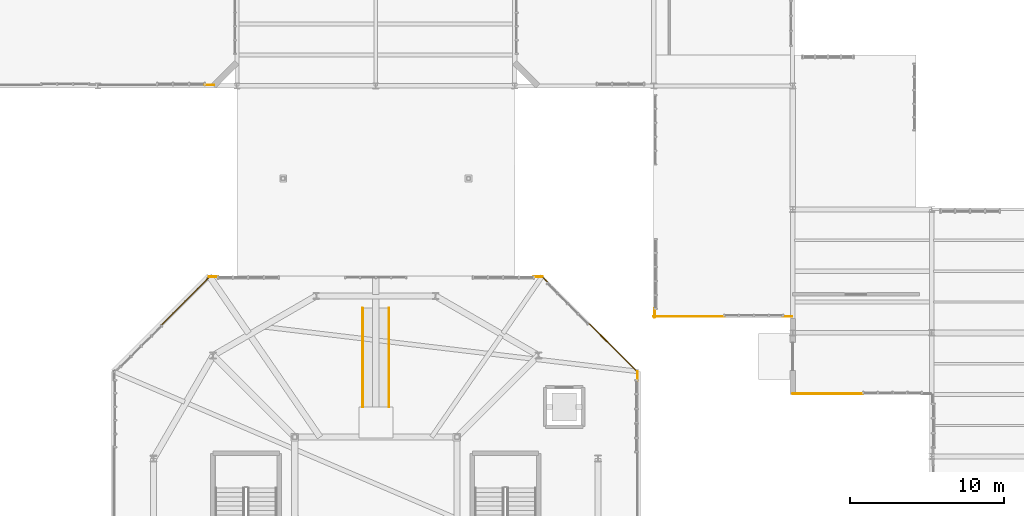
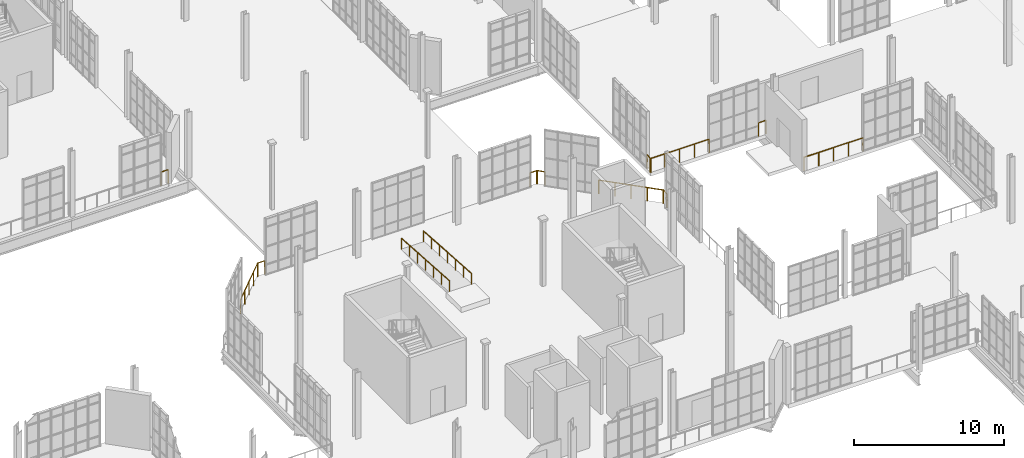
# One storey, part 185 of 189: 13 railings.
"""IFC4 building model written with IfcOpenShell, lengths in metres."""

from ifc_helpers import new_model, si_unit, direction, frame, origin, origin_2d, place, context, subcontext, project, spatial, circle, extrude, material, type_object, element, save


model = new_model("IFC4")

# Units and contexts
model_context = context("Model", 3, precision=1e-05, world=origin(), true_north=direction((0.0, 1.0)))
body_context = subcontext(model_context, "Body", "Model", "MODEL_VIEW")
ifc_project = project(units=[si_unit("LENGTHUNIT", "METRE"), si_unit("AREAUNIT", "SQUARE_METRE"), si_unit("VOLUMEUNIT", "CUBIC_METRE"), si_unit("PLANEANGLEUNIT", "RADIAN"), si_unit("MASSUNIT", "GRAM", prefix="KILO"), si_unit("THERMODYNAMICTEMPERATUREUNIT", "KELVIN"), si_unit("POWERUNIT", "WATT")], contexts=[model_context])

# Site, building, storey
site_placement = place(None, origin())
site = spatial("IfcSite", under=ifc_project, at=site_placement, CompositionType="ELEMENT")
building_placement = place(site_placement, origin())
building = spatial("IfcBuilding", under=site, at=building_placement, Name="Zelmaris Science Centre", CompositionType="ELEMENT")
storey_placement = place(building_placement, origin())
storey = spatial("IfcBuildingStorey", under=building, at=storey_placement, Name="L00", CompositionType="ELEMENT", Elevation=0.0)

# Railings
ifc_material = material(Name="Architectural bronze alloy C28000")
railing_type_1 = type_object("IfcRailingType", Name="Balustrade GD-01 H1120", PredefinedType="BALUSTRADE", material=ifc_material)
railing_1_placement = place(storey_placement, frame((70.5, 64.06005859375, 0.0)))
element("IfcRailing", 1, at=railing_1_placement, inside=storey, type_object=railing_type_1, Name="L00 Perimeter safety balustrade 1", PredefinedType="BALUSTRADE", context=body_context, shape_type="SweptSolid", body=[
    extrude(circle(Radius=0.02392578125, at=origin_2d()), frame((0.0, 0.0, 1.09619140625), z_axis=(-1.0, 0.0, 0.0), x_axis=(0.0, -1.0, 0.0)), (0.0, 0.0, 1.0), 0.570068359375),
    extrude(circle(Radius=0.02099609375, at=origin_2d()), origin(), (0.0, 0.0, 1.0), 1.072021484375),
    extrude(circle(Radius=0.02099609375, at=origin_2d()), frame((-0.570068359375, 0.0, 0.0)), (0.0, 0.0, 1.0), 1.072021484375),
])
railing_2_placement = place(storey_placement, frame((67.07958984375, 48.493896484375, 0.0)))
element("IfcRailing", 2, at=railing_2_placement, inside=storey, type_object=railing_type_1, Name="L00 Perimeter safety balustrade 14", PredefinedType="BALUSTRADE", context=body_context, shape_type="SweptSolid", body=[
    extrude(circle(Radius=0.02392578125, at=origin_2d()), frame((0.0, 0.0, 1.09619140625), z_axis=(0.70716133979, 0.707052218373, 0.0), x_axis=(-0.707052218373, 0.70716133979, 0.0)), (0.0, 0.0, 1.0), 4.474609375),
    extrude(circle(Radius=0.02099609375, at=origin_2d()), origin(), (0.0, 0.0, 1.0), 1.072021484375),
    extrude(circle(Radius=0.02099609375, at=origin_2d()), frame((0.791015625, 0.791015625, 0.0)), (0.0, 0.0, 1.0), 1.072021484375),
    extrude(circle(Radius=0.02099609375, at=origin_2d()), frame((1.58203125, 1.58203125, 0.0)), (0.0, 0.0, 1.0), 1.072021484375),
    extrude(circle(Radius=0.02099609375, at=origin_2d()), frame((2.373291015625, 2.372802734375, 0.0)), (0.0, 0.0, 1.0), 1.072021484375),
    extrude(circle(Radius=0.02099609375, at=origin_2d()), frame((3.164306640625, 3.163818359375, 0.0)), (0.0, 0.0, 1.0), 1.072021484375),
])
for number, where, name in (
    (3, (70.201416015625, 51.639892578125, 0.0), "L00 Perimeter safety balustrade 15"),
    (4, (91.22998046875, 51.639892578125, 0.0), "L00 Perimeter safety balustrade 16"),
):
    element("IfcRailing", number, at=place(storey_placement, frame(where)), inside=storey, type_object=railing_type_1, Name=name, PredefinedType="BALUSTRADE", context=body_context, shape_type="SweptSolid", body=[
        extrude(circle(Radius=0.02392578125, at=origin_2d()), frame((0.0, 0.0, 1.09619140625), z_axis=(1.0, 0.0, 0.0), x_axis=(0.0, 1.0, 0.0)), (0.0, 0.0, 1.0), 0.570068359375),
        extrude(circle(Radius=0.02099609375, at=origin_2d()), origin(), (0.0, 0.0, 1.0), 1.072021484375),
        extrude(circle(Radius=0.02099609375, at=origin_2d()), frame((0.570068359375, 0.0, 0.0)), (0.0, 0.0, 1.0), 1.072021484375),
    ])
railing_3_placement = place(storey_placement, frame((91.757568359375, 51.657470703125, 0.0)))
element("IfcRailing", 5, at=railing_3_placement, inside=storey, type_object=railing_type_1, Name="L00 Perimeter safety balustrade 17", PredefinedType="BALUSTRADE", context=body_context, shape_type="SweptSolid", body=[
    extrude(circle(Radius=0.02392578125, at=origin_2d()), frame((0.0, 0.0, 1.09619140625), z_axis=(0.707106781187, -0.707106781187, 0.0), x_axis=(0.707106781187, 0.707106781187, 0.0)), (0.0, 0.0, 1.0), 0.570068359375),
    extrude(circle(Radius=0.02099609375, at=origin_2d()), origin(), (0.0, 0.0, 1.0), 1.072021484375),
    extrude(circle(Radius=0.02099609375, at=origin_2d()), frame((0.403076171875, -0.403076171875, 0.0)), (0.0, 0.0, 1.0), 1.072021484375),
])
railing_4_placement = place(storey_placement, frame((94.7939453125, 48.62109375, 0.0)))
element("IfcRailing", 6, at=railing_4_placement, inside=storey, type_object=railing_type_1, Name="L00 Perimeter safety balustrade 18", PredefinedType="BALUSTRADE", context=body_context, shape_type="SweptSolid", body=[
    extrude(circle(Radius=0.02392578125, at=origin_2d()), frame((0.0, 0.0, 1.09619140625), z_axis=(0.707106781187, -0.707106781187, 0.0), x_axis=(0.707106781187, 0.707106781187, 0.0)), (0.0, 0.0, 1.0), 4.473876953125),
    extrude(circle(Radius=0.02099609375, at=origin_2d()), origin(), (0.0, 0.0, 1.0), 1.072021484375),
    extrude(circle(Radius=0.02099609375, at=origin_2d()), frame((0.791015625, -0.791015625, 0.0)), (0.0, 0.0, 1.0), 1.072021484375),
    extrude(circle(Radius=0.02099609375, at=origin_2d()), frame((1.581787109375, -1.581787109375, 0.0)), (0.0, 0.0, 1.0), 1.072021484375),
    extrude(circle(Radius=0.02099609375, at=origin_2d()), frame((2.37255859375, -2.37255859375, 0.0)), (0.0, 0.0, 1.0), 1.072021484375),
    extrude(circle(Radius=0.02099609375, at=origin_2d()), frame((3.16357421875, -3.16357421875, 0.0)), (0.0, 0.0, 1.0), 1.072021484375),
])
railing_5_placement = place(storey_placement, frame((97.93994140625, 45.5, 0.0)))
element("IfcRailing", 7, at=railing_5_placement, inside=storey, type_object=railing_type_1, Name="L00 Perimeter safety balustrade 19", PredefinedType="BALUSTRADE", context=body_context, shape_type="SweptSolid", body=[
    extrude(circle(Radius=0.02392578125, at=origin_2d()), frame((0.0, 0.0, 1.09619140625), z_axis=(0.0, -1.0, 0.0), x_axis=(1.0, 0.0, 0.0)), (0.0, 0.0, 1.0), 0.570068359375),
    extrude(circle(Radius=0.02099609375, at=origin_2d()), origin(), (0.0, 0.0, 1.0), 1.072021484375),
    extrude(circle(Radius=0.02099609375, at=origin_2d()), frame((0.0, -0.570068359375, 0.0)), (0.0, 0.0, 1.0), 1.072021484375),
])
railing_6_placement = place(storey_placement, frame((112.56005859375, 44.06005859375, 0.0)))
element("IfcRailing", 8, at=railing_6_placement, inside=storey, type_object=railing_type_1, Name="L00 Perimeter safety balustrade 33", PredefinedType="BALUSTRADE", context=body_context, shape_type="SweptSolid", body=[
    extrude(circle(Radius=0.02392578125, at=origin_2d()), frame((0.0, 0.0, 1.09619140625), z_axis=(-1.0, 0.0, 0.0), x_axis=(0.0, -1.0, 0.0)), (0.0, 0.0, 1.0), 4.56005859375),
    extrude(circle(Radius=0.02099609375, at=origin_2d()), origin(), (0.0, 0.0, 1.0), 1.072021484375),
    extrude(circle(Radius=0.02099609375, at=origin_2d()), frame((-1.14013671875, 0.0, 0.0)), (0.0, 0.0, 1.0), 1.072021484375),
    extrude(circle(Radius=0.02099609375, at=origin_2d()), frame((-2.280029296875, 0.0, 0.0)), (0.0, 0.0, 1.0), 1.072021484375),
    extrude(circle(Radius=0.02099609375, at=origin_2d()), frame((-3.419921875, 0.0, 0.0)), (0.0, 0.0, 1.0), 1.072021484375),
    extrude(circle(Radius=0.02099609375, at=origin_2d()), frame((-4.56005859375, 0.0, 0.0)), (0.0, 0.0, 1.0), 1.072021484375),
])
railing_7_placement = place(storey_placement, frame((107.95751953125, 49.057373046875, 0.0)))
element("IfcRailing", 9, at=railing_7_placement, inside=storey, type_object=railing_type_1, Name="L00 Perimeter safety balustrade 34", PredefinedType="BALUSTRADE", context=body_context, shape_type="SweptSolid", body=[
    extrude(circle(Radius=0.02392578125, at=origin_2d()), frame((0.0, 0.0, 1.09619140625), z_axis=(-0.999999908294, 0.000428265485, 0.0), x_axis=(-0.000428265485, -0.999999908294, 0.0)), (0.0, 0.0, 1.0), 0.570068359375),
    extrude(circle(Radius=0.02099609375, at=origin_2d()), origin(), (0.0, 0.0, 1.0), 1.072021484375),
    extrude(circle(Radius=0.02099609375, at=origin_2d()), frame((-0.570068359375, 0.000244140625, 0.0)), (0.0, 0.0, 1.0), 1.072021484375),
])
railing_8_placement = place(storey_placement, frame((103.568603515625, 49.05859375, 0.0)))
element("IfcRailing", 10, at=railing_8_placement, inside=storey, type_object=railing_type_1, Name="L00 Perimeter safety balustrade 35", PredefinedType="BALUSTRADE", context=body_context, shape_type="SweptSolid", body=[
    extrude(circle(Radius=0.02392578125, at=origin_2d()), frame((0.0, 0.0, 1.09619140625), z_axis=(-0.999999948597, 0.000320632699, 0.0), x_axis=(-0.000320632699, -0.999999948597, 0.0)), (0.0, 0.0, 1.0), 4.568603515625),
    extrude(circle(Radius=0.02099609375, at=origin_2d()), origin(), (0.0, 0.0, 1.0), 1.072021484375),
    extrude(circle(Radius=0.02099609375, at=origin_2d()), frame((-1.14208984375, 0.00048828125, 0.0)), (0.0, 0.0, 1.0), 1.072021484375),
    extrude(circle(Radius=0.02099609375, at=origin_2d()), frame((-2.2841796875, 0.000732421875, 0.0)), (0.0, 0.0, 1.0), 1.072021484375),
    extrude(circle(Radius=0.02099609375, at=origin_2d()), frame((-3.426513671875, 0.0009765625, 0.0)), (0.0, 0.0, 1.0), 1.072021484375),
    extrude(circle(Radius=0.02099609375, at=origin_2d()), frame((-4.568603515625, 0.00146484375, 0.0)), (0.0, 0.0, 1.0), 1.072021484375),
])
railing_9_placement = place(storey_placement, frame((99.06005859375, 49.0, 0.0)))
element("IfcRailing", 11, at=railing_9_placement, inside=storey, type_object=railing_type_1, Name="L00 Perimeter safety balustrade 36", PredefinedType="BALUSTRADE", context=body_context, shape_type="SweptSolid", body=[
    extrude(circle(Radius=0.02392578125, at=origin_2d()), frame((0.0, 0.0, 1.09619140625), z_axis=(-0.000428082153, 0.999999908373, 0.0), x_axis=(-0.999999908373, -0.000428082153, 0.0)), (0.0, 0.0, 1.0), 0.5703125),
    extrude(circle(Radius=0.02099609375, at=origin_2d()), origin(), (0.0, 0.0, 1.0), 1.072021484375),
    extrude(circle(Radius=0.02099609375, at=origin_2d()), frame((-0.000244140625, 0.5703125, 0.0)), (0.0, 0.0, 1.0), 1.072021484375),
])
railing_type_2 = type_object("IfcRailingType", Name="Handrail HR-01 H900", PredefinedType="HANDRAIL", material=ifc_material)
for number, where, name in (
    (12, (80.14990234375, 49.60009765625, 0.0), "L00 Atrium arrival gallery ramp handrail 1"),
    (13, (81.85009765625, 49.60009765625, 0.0), "L00 Atrium arrival gallery ramp handrail 2"),
):
    element("IfcRailing", number, at=place(storey_placement, frame(where)), inside=storey, type_object=railing_type_2, Name=name, PredefinedType="HANDRAIL", context=body_context, shape_type="SweptSolid", body=[
        extrude(circle(Radius=0.02392578125, at=origin_2d()), frame((0.0, 0.0, 0.8759765625), z_axis=(0.0, -0.997854503767, 0.065470522467), x_axis=(1.0, 0.0, 0.0)), (0.0, 0.0, 1.0), 6.413818359375),
        extrude(circle(Radius=0.02099609375, at=origin_2d()), origin(), (0.0, 0.0, 1.0), 0.851806640625),
        extrude(circle(Radius=0.02099609375, at=origin_2d()), frame((0.0, -1.066650390625, 0.070068359375)), (0.0, 0.0, 1.0), 0.851806640625),
        extrude(circle(Radius=0.02099609375, at=origin_2d()), frame((0.0, -2.13330078125, 0.139892578125)), (0.0, 0.0, 1.0), 0.851806640625),
        extrude(circle(Radius=0.02099609375, at=origin_2d()), frame((0.0, -3.2001953125, 0.2099609375)), (0.0, 0.0, 1.0), 0.851806640625),
        extrude(circle(Radius=0.02099609375, at=origin_2d()), frame((0.0, -4.266845703125, 0.280029296875)), (0.0, 0.0, 1.0), 0.851806640625),
        extrude(circle(Radius=0.02099609375, at=origin_2d()), frame((0.0, -5.33349609375, 0.349853515625)), (0.0, 0.0, 1.0), 0.851806640625),
        extrude(circle(Radius=0.02099609375, at=origin_2d()), frame((0.0, -6.400146484375, 0.419921875)), (0.0, 0.0, 1.0), 0.851806640625),
    ])

save(model, "model.ifc")
